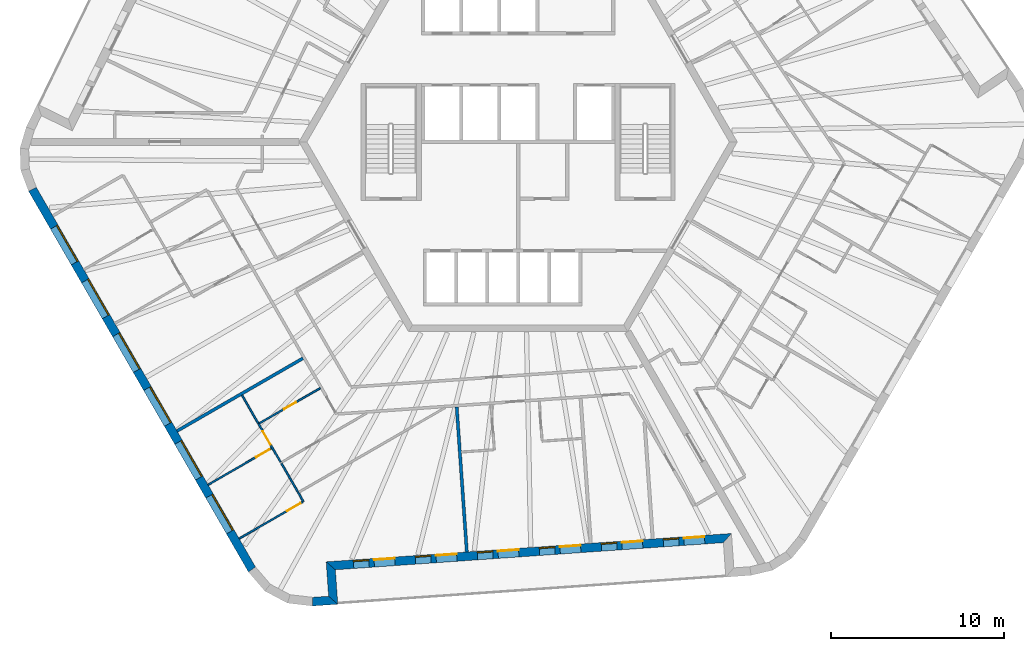
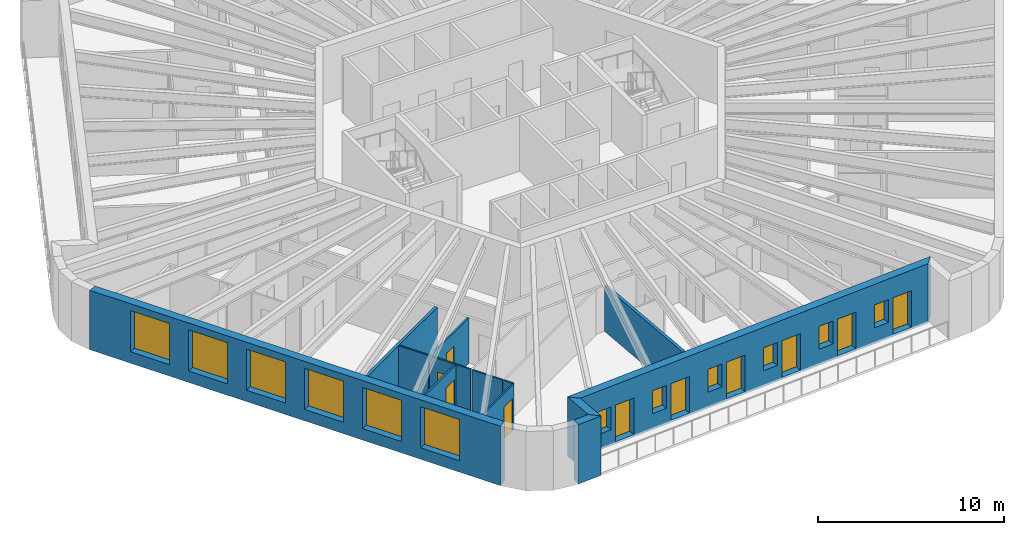
# One storey, part 3 of 12: 13 walls, 12 windows, 10 doors, 22 openings.
"""IFC4 building model written with IfcOpenShell, lengths in metres."""

import ifcopenshell
import ifcopenshell.guid

model = None  # the IFC model being written
_history = None  # IfcOwnerHistory: only IFC2X3 demands one
_inside = {}  # id of a spatial element -> (the spatial element, [elements in it])
_under = {}  # id of a project, library or spatial element -> (it, [spatial elements below it])
_declared = {}  # id of a project -> (the project, [libraries it declares])
_typed = {}  # id of a type object -> (the type object, [elements of that type])
_made_of = {}  # id of a material, layer set ... -> (it, [elements and type objects made of it])


def new_model(schema):
    """Start an empty IFC model of exactly this schema.

    Asked for "IFC4X3", IfcOpenShell would pick the latest addendum, in which some entities
    have other attributes; the version numbers below select the first issue.
    IFC2X3 requires an IfcOwnerHistory on every rooted entity: one is made here for all.
    """
    global model, _history
    if schema == "IFC4X3":
        model = ifcopenshell.file(schema_version=(4, 3, 0, 0))
    else:
        model = ifcopenshell.file(schema=schema)
    _inside.clear()
    _under.clear()
    _declared.clear()
    _typed.clear()
    _made_of.clear()
    _history = None
    if model.schema == "IFC2X3":
        org = make("IfcOrganization", Name="unknown")
        user = make(
            "IfcPersonAndOrganization",
            ThePerson=make("IfcPerson", FamilyName="unknown"),
            TheOrganization=org,
        )
        app = make(
            "IfcApplication",
            ApplicationDeveloper=org,
            Version="unknown",
            ApplicationFullName="unknown",
            ApplicationIdentifier="unknown",
        )
        _history = make(
            "IfcOwnerHistory",
            OwningUser=user,
            OwningApplication=app,
            ChangeAction="ADDED",
            CreationDate=0,
        )
    return model


def make(cls, **values):
    """One entity of the class cls with the attributes given. An attribute that is None is left unset."""
    return model.create_entity(
        cls, **{name: value for name, value in values.items() if value is not None}
    )


def rooted(cls, **values):
    """An entity with a GlobalId (a new one), such as an element, a storey or a relation."""
    return make(cls, GlobalId=ifcopenshell.guid.new(), OwnerHistory=_history, **values)


def si_unit(unit_type, name, prefix=None):
    """IfcSIUnit, for example si_unit("LENGTHUNIT", "METRE", prefix="MILLI")."""
    return make("IfcSIUnit", UnitType=unit_type, Prefix=prefix, Name=name)


def assignment(units):
    """IfcUnitAssignment: the units of a project."""
    return None if units is None else make("IfcUnitAssignment", Units=units)


def point(xyz):
    """IfcCartesianPoint."""
    return None if xyz is None else make("IfcCartesianPoint", Coordinates=xyz)


def direction(xyz):
    """IfcDirection."""
    return None if xyz is None else make("IfcDirection", DirectionRatios=xyz)


def frame(location, z_axis=None, x_axis=None):
    """IfcAxis2Placement3D, a coordinate frame: its origin and axes. An axis left out is left unset."""
    return make(
        "IfcAxis2Placement3D",
        Location=point(location),
        Axis=direction(z_axis),
        RefDirection=direction(x_axis),
    )


def frame_2d(location, x_axis=None):
    """IfcAxis2Placement2D, a coordinate frame in the plane: its origin and x axis."""
    return make(
        "IfcAxis2Placement2D", Location=point(location), RefDirection=direction(x_axis)
    )


def origin():
    """The frame at (0, 0, 0) with its axes left unset."""
    return frame((0.0, 0.0, 0.0))


def place(relative_to, where):
    """IfcLocalPlacement: puts the frame where relative to a parent placement (None: the world)."""
    return make(
        "IfcLocalPlacement", PlacementRelTo=relative_to, RelativePlacement=where
    )


def context(
    kind, dimensions, precision=None, world=None, true_north=None, identifier=None
):
    """IfcGeometricRepresentationContext, for example the 3D "Model" context."""
    return make(
        "IfcGeometricRepresentationContext",
        ContextIdentifier=identifier,
        ContextType=kind,
        CoordinateSpaceDimension=dimensions,
        Precision=precision,
        WorldCoordinateSystem=world,
        TrueNorth=true_north,
    )


def subcontext(parent, identifier, kind, view, scale=None):
    """IfcGeometricRepresentationSubContext, for example "Body" below "Model"."""
    return make(
        "IfcGeometricRepresentationSubContext",
        ContextIdentifier=identifier,
        ContextType=kind,
        ParentContext=parent,
        TargetScale=scale,
        TargetView=view,
    )


def project(units=None, contexts=None):
    """IfcProject with its units and contexts."""
    return rooted(
        "IfcProject",
        Name="project",
        RepresentationContexts=contexts,
        UnitsInContext=assignment(units),
    )


def spatial(cls, under=None, at=None, **own):
    """A site, building, storey or space (cls), placed at a placement, below another one or the project."""
    s = rooted(cls, ObjectPlacement=at, **own)
    if under is not None:
        _under.setdefault(under.id(), (under, []))[1].append(s)
    return s


def polyline(points):
    """IfcPolyline through the points."""
    return make("IfcPolyline", Points=[point(p) for p in points])


def profile(cls, at=None, kind="AREA", **sizes):
    """A parametric profile (cls). Its sizes go by their IFC names, for example OverallWidth=200.0."""
    return make(cls, ProfileType=kind, Position=at, **sizes)


def rectangle(**sizes):
    """IfcRectangleProfileDef."""
    return profile("IfcRectangleProfileDef", **sizes)


def outline(outer, holes=None, kind="AREA"):
    """IfcArbitraryClosedProfileDef: a profile drawn as a closed curve; with holes, ...WithVoids."""
    if holes is None:
        return make("IfcArbitraryClosedProfileDef", ProfileType=kind, OuterCurve=outer)
    return make(
        "IfcArbitraryProfileDefWithVoids",
        ProfileType=kind,
        OuterCurve=outer,
        InnerCurves=holes,
    )


def extrude(swept, where, along, depth):
    """IfcExtrudedAreaSolid: the profile swept, set in the frame where, extruded along a direction by depth."""
    return make(
        "IfcExtrudedAreaSolid",
        SweptArea=swept,
        Position=where,
        ExtrudedDirection=direction(along),
        Depth=depth,
    )


def shape(context_of_items, identifier, shape_type, items):
    """IfcShapeRepresentation: the items that make up one representation, for example the "Body"."""
    return make(
        "IfcShapeRepresentation",
        ContextOfItems=context_of_items,
        RepresentationIdentifier=identifier,
        RepresentationType=shape_type,
        Items=items,
    )


def material(Name=None, Category=None):
    """IfcMaterial."""
    return make("IfcMaterial", Name=Name, Category=Category)


def layer(
    of_material, thickness, ventilated=None, Name=None, Category=None, Priority=None
):
    """IfcMaterialLayer: one layer of a wall or slab, of a material (None: an air gap)."""
    return make(
        "IfcMaterialLayer",
        Material=of_material,
        LayerThickness=thickness,
        IsVentilated=ventilated,
        Name=Name,
        Category=Category,
        Priority=Priority,
    )


def layer_set(layers, Name=None):
    """IfcMaterialLayerSet."""
    return make("IfcMaterialLayerSet", MaterialLayers=layers, LayerSetName=Name)


def made_of(thing, what):
    """Note that an element or type object is made of a material, layer set ...; save() writes the relation."""
    if what is not None:
        _made_of.setdefault(what.id(), (what, []))[1].append(thing)
    return thing


def type_object(cls, material=None, **own):
    """A type object (cls), such as IfcWallType, which elements share."""
    return made_of(rooted(cls, **own), material)


def element(
    cls,
    number,
    at=None,
    inside=None,
    cuts=None,
    type_object=None,
    material=None,
    context=None,
    identifier="Body",
    shape_type=None,
    held_by="IfcProductDefinitionShape",
    body=None,
    shapes=None,
    **own,
):
    """One element of the class cls, such as IfcWall. Its Tag is "e" and its number.

    at: its placement. inside: the storey or other place that contains it. cuts: it is an
    opening in that element (IfcRelVoidsElement). A single representation is given by context,
    identifier, shape_type and body (its items); several are given by shapes. held_by: the class
    of the entity that holds the representations. save() writes the other relations.
    """
    e = rooted(cls, Tag="e%d" % number, ObjectPlacement=at, **own)
    if body is not None:
        shapes = [shape(context, identifier, shape_type, body)]
    if shapes is not None:
        e.Representation = make(held_by, Representations=shapes)
    if inside is not None:
        _inside.setdefault(inside.id(), (inside, []))[1].append(e)
    if cuts is not None:
        rooted(
            "IfcRelVoidsElement", RelatingBuildingElement=cuts, RelatedOpeningElement=e
        )
    if type_object is not None:
        _typed.setdefault(type_object.id(), (type_object, []))[1].append(e)
    return made_of(e, material)


def fill(opening, filler):
    """IfcRelFillsElement: the door or window that sits in an opening."""
    return rooted(
        "IfcRelFillsElement",
        RelatingOpeningElement=opening,
        RelatedBuildingElement=filler,
    )


def aggregate(whole, parts):
    """IfcRelAggregates: a whole, such as a stair, and the parts it consists of."""
    return rooted("IfcRelAggregates", RelatingObject=whole, RelatedObjects=parts)


def save(model, path):
    """Write the relations noted so far, then the file.

    IfcRelAggregates (storeys below a building ...), IfcRelContainedInSpatialStructure (elements
    in a storey), IfcRelDefinesByType, IfcRelAssociatesMaterial and IfcRelDeclares: one each for
    every whole, place, type object, material and project.
    """
    for whole, parts in _under.values():
        aggregate(whole, parts)
    for where, things in _inside.values():
        rooted(
            "IfcRelContainedInSpatialStructure",
            RelatedElements=things,
            RelatingStructure=where,
        )
    for kind, things in _typed.values():
        rooted("IfcRelDefinesByType", RelatedObjects=things, RelatingType=kind)
    for what, things in _made_of.values():
        rooted("IfcRelAssociatesMaterial", RelatedObjects=things, RelatingMaterial=what)
    for by, libraries in _declared.values():
        rooted("IfcRelDeclares", RelatingContext=by, RelatedDefinitions=libraries)
    model.write(path)


model = new_model("IFC4")

# Units and contexts
model_context = context("Model", 3, precision=1e-05, world=origin(), true_north=direction((0.0, 1.0)))
body_context = subcontext(model_context, "Body", "Model", "MODEL_VIEW")
ifc_project = project(units=[si_unit("LENGTHUNIT", "METRE"), si_unit("AREAUNIT", "SQUARE_METRE"), si_unit("VOLUMEUNIT", "CUBIC_METRE"), si_unit("PLANEANGLEUNIT", "RADIAN"), si_unit("MASSUNIT", "GRAM", prefix="KILO")], contexts=[model_context])

# Site, building, storey
site_placement = place(None, origin())
site = spatial("IfcSite", under=ifc_project, at=site_placement, CompositionType="ELEMENT")
building_placement = place(site_placement, origin())
building = spatial("IfcBuilding", under=site, at=building_placement, Name="Tarnside Tower", CompositionType="ELEMENT")
storey_placement = place(building_placement, frame((0.0, 0.0, 275.699951171875)))
storey = spatial("IfcBuildingStorey", under=building, at=storey_placement, Name="L66", CompositionType="ELEMENT", Elevation=275.699951171875)

# Wall, opening, door
ifc_material_1 = material(Name="Gypsum board partition on steel studs", Category="steel")
ifc_layer_1 = layer(ifc_material_1, 0.10009765625)
ifc_layer_set_1 = layer_set([ifc_layer_1], Name="Bathroom wall 100")
wall_type_1 = type_object("IfcWallType", Name="Bathroom wall 100", PredefinedType="PARTITIONING", material=ifc_layer_set_1)
wall_1_placement = place(storey_placement, frame((-11.47509765625, -14.274658203125, 0.0), z_axis=(0.0, 0.0, 1.0), x_axis=(-0.866019999656, -0.500009360108, 0.0)))
wall_1 = element("IfcWall", 1, at=wall_1_placement, inside=storey, type_object=wall_type_1, Name="Bathroom wall 21130", PredefinedType="PARTITIONING", context=body_context, shape_type="SweptSolid", body=[
    extrude(rectangle(XDim=4.125, YDim=0.10009765625, at=frame_2d((2.0625, 0.0))), origin(), (0.0, 0.0, 1.0), 2.98779296875),
])
opening_1_placement = place(wall_1_placement, frame((1.625, 0.0, 0.0)))
opening_1 = element("IfcOpeningElement", 2, at=opening_1_placement, cuts=wall_1, Name="Opening D-B1", PredefinedType="OPENING", context=body_context, shape_type="SweptSolid", body=[
    extrude(rectangle(XDim=0.800048828125, YDim=2.10009765625, at=frame_2d((0.39990234375, 1.050048828125))), frame((0.0, 0.06005859375, 0.0), z_axis=(0.0, -1.0, 0.0), x_axis=(1.0, 0.0, 0.0)), (0.0, 0.0, 1.0), 0.1201171875),
])
ifc_material_2 = material(Name="Timber door leaf", Category="wood")
door_type_1 = type_object("IfcDoorType", Name="Bathroom door 800", OperationType="NOTDEFINED", PredefinedType="DOOR", material=ifc_material_2)
door_1_placement = place(opening_1_placement, origin())
door_1 = element("IfcDoor", 3, at=door_1_placement, inside=storey, type_object=door_type_1, Name="Bathroom door 21034", OperationType="SINGLE_SWING_RIGHT", OverallHeight=2.10009765625, OverallWidth=0.800048828125, PredefinedType="DOOR", context=body_context, shape_type="SweptSolid", body=[
    extrude(rectangle(XDim=0.800048828125, YDim=2.10009765625, at=frame_2d((0.39990234375, 1.050048828125))), frame((0.0, 0.02490234375, 0.0), z_axis=(0.0, -1.0, 0.0), x_axis=(1.0, 0.0, 0.0)), (0.0, 0.0, 1.0), 0.050048828125),
])
fill(opening_1, door_1)

# Walls
wall_2_placement = place(storey_placement, frame((-16.00244140625, -14.68310546875, 0.0), z_axis=(0.0, 0.0, 1.0), x_axis=(0.500059143742, -0.865991254436, 0.0)))
element("IfcWall", 4, at=wall_2_placement, inside=storey, type_object=wall_type_1, Name="Bathroom wall 21134", PredefinedType="PARTITIONING", context=body_context, shape_type="SweptSolid", body=[
    extrude(rectangle(XDim=1.862060546875, YDim=0.10009765625, at=frame_2d((0.93115234375, 0.0))), origin(), (0.0, 0.0, 1.0), 2.98779296875),
])
wall_3_placement = place(storey_placement, frame((-12.7724609375, -20.277587890625, 0.0), z_axis=(0.0, 0.0, 1.0), x_axis=(-0.499967155389, 0.866044365799, 0.0)))
element("IfcWall", 5, at=wall_3_placement, inside=storey, type_object=wall_type_1, Name="Bathroom wall 21136", PredefinedType="PARTITIONING", context=body_context, shape_type="SweptSolid", body=[
    extrude(rectangle(XDim=1.900146484375, YDim=0.10009765625, at=frame_2d((0.9501953125, 0.0))), origin(), (0.0, 0.0, 1.0), 2.98779296875),
])
ifc_layer_2 = layer(ifc_material_1, 0.179931640625)
ifc_layer_set_2 = layer_set([ifc_layer_2], Name="Demising wall 180 EI 60")
wall_type_2 = type_object("IfcWallType", Name="Demising wall 180 EI 60", PredefinedType="PARTITIONING", material=ifc_layer_set_2)
wall_4_placement = place(storey_placement, frame((-19.771240234375, -16.755126953125, 0.0), z_axis=(0.0, 0.0, 1.0), x_axis=(0.866026819143, 0.499997548519, 0.0)))
element("IfcWall", 6, at=wall_4_placement, inside=storey, type_object=wall_type_2, Name="Demising wall 21118", PredefinedType="PARTITIONING", context=body_context, shape_type="SweptSolid", body=[
    extrude(rectangle(XDim=8.4248046875, YDim=0.179931640625, at=frame_2d((4.21240234375, 0.0))), origin(), (0.0, 0.0, 1.0), 2.98779296875),
])
wall_5_placement = place(storey_placement, frame((-2.97412109375, -23.765380859375, 0.0), z_axis=(0.0, 0.0, 1.0), x_axis=(-0.069749826803, 0.997564515037, 0.0)))
element("IfcWall", 7, at=wall_5_placement, inside=storey, type_object=wall_type_2, Name="Demising wall 21128", PredefinedType="PARTITIONING", context=body_context, shape_type="SweptSolid", body=[
    extrude(rectangle(XDim=8.425048828125, YDim=0.179931640625, at=frame_2d((4.21240234375, 0.0))), origin(), (0.0, 0.0, 1.0), 2.98779296875),
])
ifc_material_3 = material(Name="Dark zinc cladding")
ifc_layer_3 = layer(ifc_material_3, 0.10205078125)
ifc_material_4 = material(Name="Concrete C60/75 precast", Category="concrete")
ifc_layer_4 = layer(ifc_material_4, 0.298095703125)
ifc_material_5 = material(Name="Mineral wool insulation")
ifc_layer_5 = layer(ifc_material_5, 0.10009765625)
ifc_layer_set_3 = layer_set([ifc_layer_3, ifc_layer_4, ifc_layer_5], Name="Loggia wall 500 zinc faced")
wall_type_3 = type_object("IfcWallType", Name="Loggia wall 500 zinc faced", PredefinedType="SOLIDWALL", material=ifc_layer_set_3)
wall_6_placement = place(storey_placement, frame((-11.91748046875, -26.646240234375, -0.14990234375), z_axis=(0.0, 0.0, 1.0), x_axis=(0.997562933087, 0.069772448216, 0.0)))
element("IfcWall", 8, at=wall_6_placement, inside=storey, type_object=wall_type_3, Name="Tube wall L66 F4 stub 16", PredefinedType="SOLIDWALL", context=body_context, shape_type="SweptSolid", body=[
    extrude(outline(polyline([(-0.0234375, -0.25), (1.4501953125, -0.25), (0.9501953125, 0.25), (0.0234375, 0.25), (-0.0234375, -0.25)])), origin(), (0.0, 0.0, 1.0), 3.89990234375),
])
wall_7_placement = place(storey_placement, frame((-10.72021484375, -26.5625, -0.14990234375), z_axis=(0.0, 0.0, 1.0), x_axis=(-0.069824268692, 0.99755930726, 0.0)))
element("IfcWall", 9, at=wall_7_placement, inside=storey, type_object=wall_type_3, Name="Tube wall L66 F4 return 17", PredefinedType="SOLIDWALL", context=body_context, shape_type="SweptSolid", body=[
    extrude(outline(polyline([(-0.25, -0.25), (1.75, -0.25), (2.25, 0.25), (0.25, 0.25), (-0.25, -0.25)])), origin(), (0.0, 0.0, 1.0), 3.89990234375),
])

# Wall, openings, doors, windows
wall_8_placement = place(storey_placement, frame((-10.85986328125, -24.5673828125, -0.14990234375), z_axis=(0.0, 0.0, 1.0), x_axis=(0.997564329317, 0.06975248292, 0.0)))
wall_8 = element("IfcWall", 10, at=wall_8_placement, inside=storey, type_object=wall_type_3, Name="Tube wall L66 F4 back 18", PredefinedType="SOLIDWALL", context=body_context, shape_type="SweptSolid", body=[
    extrude(outline(polyline([(0.25, -0.25), (22.794677734375, -0.25), (23.294677734375, 0.25), (-0.25, 0.25), (0.25, -0.25)])), origin(), (0.0, 0.0, 1.0), 3.89990234375),
])
opening_2_placement = place(wall_8_placement, frame((1.322509765625, 0.0, 1.050048828125)))
opening_2 = element("IfcOpeningElement", 11, at=opening_2_placement, cuts=wall_8, Name="Opening WL500", PredefinedType="OPENING", context=body_context, shape_type="SweptSolid", body=[
    extrude(rectangle(XDim=0.89990234375, YDim=1.5, at=frame_2d((0.449951171875, 0.75))), frame((0.0, 0.260009765625, 0.0), z_axis=(0.0, -1.0, 0.0), x_axis=(1.0, 0.0, 0.0)), (0.0, 0.0, 1.0), 0.52001953125),
])
opening_3_placement = place(wall_8_placement, frame((2.5224609375, 0.0, 0.14990234375)))
opening_3 = element("IfcOpeningElement", 12, at=opening_3_placement, cuts=wall_8, Name="Opening DB500", PredefinedType="OPENING", context=body_context, shape_type="SweptSolid", body=[
    extrude(rectangle(XDim=1.199951171875, YDim=2.39990234375, at=frame_2d((0.60009765625, 1.199951171875))), frame((0.0, 0.260009765625, 0.0), z_axis=(0.0, -1.0, 0.0), x_axis=(1.0, 0.0, 0.0)), (0.0, 0.0, 1.0), 0.52001953125),
])
opening_4_placement = place(wall_8_placement, frame((4.92236328125, 0.0, 1.050048828125)))
opening_4 = element("IfcOpeningElement", 13, at=opening_4_placement, cuts=wall_8, Name="Opening WL500", PredefinedType="OPENING", context=body_context, shape_type="SweptSolid", body=[
    extrude(rectangle(XDim=0.89990234375, YDim=1.5, at=frame_2d((0.449951171875, 0.75))), frame((0.0, 0.260009765625, 0.0), z_axis=(0.0, -1.0, 0.0), x_axis=(1.0, 0.0, 0.0)), (0.0, 0.0, 1.0), 0.52001953125),
])
opening_5_placement = place(wall_8_placement, frame((6.122314453125, 0.0, 0.14990234375)))
opening_5 = element("IfcOpeningElement", 14, at=opening_5_placement, cuts=wall_8, Name="Opening DB500", PredefinedType="OPENING", context=body_context, shape_type="SweptSolid", body=[
    extrude(rectangle(XDim=1.199951171875, YDim=2.39990234375, at=frame_2d((0.60009765625, 1.199951171875))), frame((0.0, 0.260009765625, 0.0), z_axis=(0.0, -1.0, 0.0), x_axis=(1.0, 0.0, 0.0)), (0.0, 0.0, 1.0), 0.52001953125),
])
opening_6_placement = place(wall_8_placement, frame((8.5224609375, 0.0, 1.050048828125)))
opening_6 = element("IfcOpeningElement", 15, at=opening_6_placement, cuts=wall_8, Name="Opening WL500", PredefinedType="OPENING", context=body_context, shape_type="SweptSolid", body=[
    extrude(rectangle(XDim=0.89990234375, YDim=1.5, at=frame_2d((0.449951171875, 0.75))), frame((0.0, 0.260009765625, 0.0), z_axis=(0.0, -1.0, 0.0), x_axis=(1.0, 0.0, 0.0)), (0.0, 0.0, 1.0), 0.52001953125),
])
opening_7_placement = place(wall_8_placement, frame((9.722412109375, 0.0, 0.14990234375)))
opening_7 = element("IfcOpeningElement", 16, at=opening_7_placement, cuts=wall_8, Name="Opening DB500", PredefinedType="OPENING", context=body_context, shape_type="SweptSolid", body=[
    extrude(rectangle(XDim=1.199951171875, YDim=2.39990234375, at=frame_2d((0.60009765625, 1.199951171875))), frame((0.0, 0.260009765625, 0.0), z_axis=(0.0, -1.0, 0.0), x_axis=(1.0, 0.0, 0.0)), (0.0, 0.0, 1.0), 0.52001953125),
])
opening_8_placement = place(wall_8_placement, frame((12.122314453125, 0.0, 1.050048828125)))
opening_8 = element("IfcOpeningElement", 17, at=opening_8_placement, cuts=wall_8, Name="Opening WL500", PredefinedType="OPENING", context=body_context, shape_type="SweptSolid", body=[
    extrude(rectangle(XDim=0.89990234375, YDim=1.5, at=frame_2d((0.449951171875, 0.75))), frame((0.0, 0.260009765625, 0.0), z_axis=(0.0, -1.0, 0.0), x_axis=(1.0, 0.0, 0.0)), (0.0, 0.0, 1.0), 0.52001953125),
])
opening_9_placement = place(wall_8_placement, frame((13.322509765625, 0.0, 0.14990234375)))
opening_9 = element("IfcOpeningElement", 18, at=opening_9_placement, cuts=wall_8, Name="Opening DB500", PredefinedType="OPENING", context=body_context, shape_type="SweptSolid", body=[
    extrude(rectangle(XDim=1.199951171875, YDim=2.39990234375, at=frame_2d((0.60009765625, 1.199951171875))), frame((0.0, 0.260009765625, 0.0), z_axis=(0.0, -1.0, 0.0), x_axis=(1.0, 0.0, 0.0)), (0.0, 0.0, 1.0), 0.52001953125),
])
opening_10_placement = place(wall_8_placement, frame((15.722412109375, 0.0, 1.050048828125)))
opening_10 = element("IfcOpeningElement", 19, at=opening_10_placement, cuts=wall_8, Name="Opening WL500", PredefinedType="OPENING", context=body_context, shape_type="SweptSolid", body=[
    extrude(rectangle(XDim=0.89990234375, YDim=1.5, at=frame_2d((0.449951171875, 0.75))), frame((0.0, 0.260009765625, 0.0), z_axis=(0.0, -1.0, 0.0), x_axis=(1.0, 0.0, 0.0)), (0.0, 0.0, 1.0), 0.52001953125),
])
opening_11_placement = place(wall_8_placement, frame((16.92236328125, 0.0, 0.14990234375)))
opening_11 = element("IfcOpeningElement", 20, at=opening_11_placement, cuts=wall_8, Name="Opening DB500", PredefinedType="OPENING", context=body_context, shape_type="SweptSolid", body=[
    extrude(rectangle(XDim=1.199951171875, YDim=2.39990234375, at=frame_2d((0.60009765625, 1.199951171875))), frame((0.0, 0.260009765625, 0.0), z_axis=(0.0, -1.0, 0.0), x_axis=(1.0, 0.0, 0.0)), (0.0, 0.0, 1.0), 0.52001953125),
])
opening_12_placement = place(wall_8_placement, frame((19.322509765625, 0.0, 1.050048828125)))
opening_12 = element("IfcOpeningElement", 21, at=opening_12_placement, cuts=wall_8, Name="Opening WL500", PredefinedType="OPENING", context=body_context, shape_type="SweptSolid", body=[
    extrude(rectangle(XDim=0.89990234375, YDim=1.5, at=frame_2d((0.449951171875, 0.75))), frame((0.0, 0.260009765625, 0.0), z_axis=(0.0, -1.0, 0.0), x_axis=(1.0, 0.0, 0.0)), (0.0, 0.0, 1.0), 0.52001953125),
])
opening_13_placement = place(wall_8_placement, frame((20.5224609375, 0.0, 0.14990234375)))
opening_13 = element("IfcOpeningElement", 22, at=opening_13_placement, cuts=wall_8, Name="Opening DB500", PredefinedType="OPENING", context=body_context, shape_type="SweptSolid", body=[
    extrude(rectangle(XDim=1.199951171875, YDim=2.39990234375, at=frame_2d((0.60009765625, 1.199951171875))), frame((0.0, 0.260009765625, 0.0), z_axis=(0.0, -1.0, 0.0), x_axis=(1.0, 0.0, 0.0)), (0.0, 0.0, 1.0), 0.52001953125),
])
ifc_material_6 = material(Name="Aluminium-framed double glazing", Category="aluminium")
door_type_2 = type_object("IfcDoorType", Name="Balcony sliding door 1200 x 2400 in 500 wall", OperationType="SLIDING_TO_LEFT", PredefinedType="DOOR", material=ifc_material_6)
door_2_placement = place(opening_3_placement, frame((0.0, 0.1748046875, 0.0)))
door_2 = element("IfcDoor", 23, at=door_2_placement, inside=storey, type_object=door_type_2, Name="E.BD.L66.F4.00", OperationType="SLIDING_TO_LEFT", OverallHeight=2.39990234375, OverallWidth=1.199951171875, PredefinedType="DOOR", context=body_context, shape_type="SweptSolid", body=[
    extrude(rectangle(XDim=1.199951171875, YDim=2.39990234375, at=frame_2d((0.60009765625, 1.199951171875))), frame((0.0, 0.02490234375, 0.0), z_axis=(0.0, -1.0, 0.0), x_axis=(1.0, 0.0, 0.0)), (0.0, 0.0, 1.0), 0.050048828125),
])
fill(opening_3, door_2)
door_3_placement = place(opening_5_placement, frame((0.0, 0.1748046875, 0.0)))
door_3 = element("IfcDoor", 24, at=door_3_placement, inside=storey, type_object=door_type_2, Name="E.BD.L66.F4.01", OperationType="SLIDING_TO_LEFT", OverallHeight=2.39990234375, OverallWidth=1.199951171875, PredefinedType="DOOR", context=body_context, shape_type="SweptSolid", body=[
    extrude(rectangle(XDim=1.199951171875, YDim=2.39990234375, at=frame_2d((0.60009765625, 1.199951171875))), frame((0.0, 0.02490234375, 0.0), z_axis=(0.0, -1.0, 0.0), x_axis=(1.0, 0.0, 0.0)), (0.0, 0.0, 1.0), 0.050048828125),
])
fill(opening_5, door_3)
door_4_placement = place(opening_7_placement, frame((0.0, 0.1748046875, 0.0)))
door_4 = element("IfcDoor", 25, at=door_4_placement, inside=storey, type_object=door_type_2, Name="E.BD.L66.F4.02", OperationType="SLIDING_TO_LEFT", OverallHeight=2.39990234375, OverallWidth=1.199951171875, PredefinedType="DOOR", context=body_context, shape_type="SweptSolid", body=[
    extrude(rectangle(XDim=1.199951171875, YDim=2.39990234375, at=frame_2d((0.60009765625, 1.199951171875))), frame((0.0, 0.02490234375, 0.0), z_axis=(0.0, -1.0, 0.0), x_axis=(1.0, 0.0, 0.0)), (0.0, 0.0, 1.0), 0.050048828125),
])
fill(opening_7, door_4)
door_5_placement = place(opening_9_placement, frame((0.0, 0.1748046875, 0.0)))
door_5 = element("IfcDoor", 26, at=door_5_placement, inside=storey, type_object=door_type_2, Name="E.BD.L66.F4.03", OperationType="SLIDING_TO_LEFT", OverallHeight=2.39990234375, OverallWidth=1.199951171875, PredefinedType="DOOR", context=body_context, shape_type="SweptSolid", body=[
    extrude(rectangle(XDim=1.199951171875, YDim=2.39990234375, at=frame_2d((0.60009765625, 1.199951171875))), frame((0.0, 0.02490234375, 0.0), z_axis=(0.0, -1.0, 0.0), x_axis=(1.0, 0.0, 0.0)), (0.0, 0.0, 1.0), 0.050048828125),
])
fill(opening_9, door_5)
door_6_placement = place(opening_11_placement, frame((0.0, 0.1748046875, 0.0)))
door_6 = element("IfcDoor", 27, at=door_6_placement, inside=storey, type_object=door_type_2, Name="E.BD.L66.F4.04", OperationType="SLIDING_TO_LEFT", OverallHeight=2.39990234375, OverallWidth=1.199951171875, PredefinedType="DOOR", context=body_context, shape_type="SweptSolid", body=[
    extrude(rectangle(XDim=1.199951171875, YDim=2.39990234375, at=frame_2d((0.60009765625, 1.199951171875))), frame((0.0, 0.02490234375, 0.0), z_axis=(0.0, -1.0, 0.0), x_axis=(1.0, 0.0, 0.0)), (0.0, 0.0, 1.0), 0.050048828125),
])
fill(opening_11, door_6)
door_7_placement = place(opening_13_placement, frame((0.0, 0.1748046875, 0.0)))
door_7 = element("IfcDoor", 28, at=door_7_placement, inside=storey, type_object=door_type_2, Name="E.BD.L66.F4.05", OperationType="SLIDING_TO_LEFT", OverallHeight=2.39990234375, OverallWidth=1.199951171875, PredefinedType="DOOR", context=body_context, shape_type="SweptSolid", body=[
    extrude(rectangle(XDim=1.199951171875, YDim=2.39990234375, at=frame_2d((0.60009765625, 1.199951171875))), frame((0.0, 0.02490234375, 0.0), z_axis=(0.0, -1.0, 0.0), x_axis=(1.0, 0.0, 0.0)), (0.0, 0.0, 1.0), 0.050048828125),
])
fill(opening_13, door_7)
window_type_1 = type_object("IfcWindowType", Name="Loggia window 900 x 1500 in 500 wall", PartitioningType="SINGLE_PANEL", PredefinedType="WINDOW", material=ifc_material_6)
window_1_placement = place(opening_2_placement, frame((0.0, 0.179931640625, 0.0)))
window_1 = element("IfcWindow", 29, at=window_1_placement, inside=storey, type_object=window_type_1, Name="E.LW.L66.F4.00", OverallHeight=1.5, OverallWidth=0.89990234375, PartitioningType="SINGLE_PANEL", PredefinedType="WINDOW", context=body_context, shape_type="SweptSolid", body=[
    extrude(rectangle(XDim=0.89990234375, YDim=1.5, at=frame_2d((0.449951171875, 0.75))), frame((0.0, 0.030029296875, 0.0), z_axis=(0.0, -1.0, 0.0), x_axis=(1.0, 0.0, 0.0)), (0.0, 0.0, 1.0), 0.06005859375),
])
fill(opening_2, window_1)
window_2_placement = place(opening_4_placement, frame((0.0, 0.179931640625, 0.0)))
window_2 = element("IfcWindow", 30, at=window_2_placement, inside=storey, type_object=window_type_1, Name="E.LW.L66.F4.01", OverallHeight=1.5, OverallWidth=0.89990234375, PartitioningType="SINGLE_PANEL", PredefinedType="WINDOW", context=body_context, shape_type="SweptSolid", body=[
    extrude(rectangle(XDim=0.89990234375, YDim=1.5, at=frame_2d((0.449951171875, 0.75))), frame((0.0, 0.030029296875, 0.0), z_axis=(0.0, -1.0, 0.0), x_axis=(1.0, 0.0, 0.0)), (0.0, 0.0, 1.0), 0.06005859375),
])
fill(opening_4, window_2)
window_3_placement = place(opening_6_placement, frame((0.0, 0.179931640625, 0.0)))
window_3 = element("IfcWindow", 31, at=window_3_placement, inside=storey, type_object=window_type_1, Name="E.LW.L66.F4.02", OverallHeight=1.5, OverallWidth=0.89990234375, PartitioningType="SINGLE_PANEL", PredefinedType="WINDOW", context=body_context, shape_type="SweptSolid", body=[
    extrude(rectangle(XDim=0.89990234375, YDim=1.5, at=frame_2d((0.449951171875, 0.75))), frame((0.0, 0.030029296875, 0.0), z_axis=(0.0, -1.0, 0.0), x_axis=(1.0, 0.0, 0.0)), (0.0, 0.0, 1.0), 0.06005859375),
])
fill(opening_6, window_3)
window_4_placement = place(opening_8_placement, frame((0.0, 0.179931640625, 0.0)))
window_4 = element("IfcWindow", 32, at=window_4_placement, inside=storey, type_object=window_type_1, Name="E.LW.L66.F4.03", OverallHeight=1.5, OverallWidth=0.89990234375, PartitioningType="SINGLE_PANEL", PredefinedType="WINDOW", context=body_context, shape_type="SweptSolid", body=[
    extrude(rectangle(XDim=0.89990234375, YDim=1.5, at=frame_2d((0.449951171875, 0.75))), frame((0.0, 0.030029296875, 0.0), z_axis=(0.0, -1.0, 0.0), x_axis=(1.0, 0.0, 0.0)), (0.0, 0.0, 1.0), 0.06005859375),
])
fill(opening_8, window_4)
window_5_placement = place(opening_10_placement, frame((0.0, 0.179931640625, 0.0)))
window_5 = element("IfcWindow", 33, at=window_5_placement, inside=storey, type_object=window_type_1, Name="E.LW.L66.F4.04", OverallHeight=1.5, OverallWidth=0.89990234375, PartitioningType="SINGLE_PANEL", PredefinedType="WINDOW", context=body_context, shape_type="SweptSolid", body=[
    extrude(rectangle(XDim=0.89990234375, YDim=1.5, at=frame_2d((0.449951171875, 0.75))), frame((0.0, 0.030029296875, 0.0), z_axis=(0.0, -1.0, 0.0), x_axis=(1.0, 0.0, 0.0)), (0.0, 0.0, 1.0), 0.06005859375),
])
fill(opening_10, window_5)
window_6_placement = place(opening_12_placement, frame((0.0, 0.179931640625, 0.0)))
window_6 = element("IfcWindow", 34, at=window_6_placement, inside=storey, type_object=window_type_1, Name="E.LW.L66.F4.05", OverallHeight=1.5, OverallWidth=0.89990234375, PartitioningType="SINGLE_PANEL", PredefinedType="WINDOW", context=body_context, shape_type="SweptSolid", body=[
    extrude(rectangle(XDim=0.89990234375, YDim=1.5, at=frame_2d((0.449951171875, 0.75))), frame((0.0, 0.030029296875, 0.0), z_axis=(0.0, -1.0, 0.0), x_axis=(1.0, 0.0, 0.0)), (0.0, 0.0, 1.0), 0.06005859375),
])
fill(opening_12, window_6)

# Wall
ifc_layer_6 = layer(ifc_material_1, 0.10009765625)
ifc_layer_set_4 = layer_set([ifc_layer_6], Name="Partition 100")
wall_type_4 = type_object("IfcWallType", Name="Partition 100", PredefinedType="PARTITIONING", material=ifc_layer_set_4)
wall_9_placement = place(storey_placement, frame((-12.748291015625, -20.3193359375, 0.0), z_axis=(0.0, 0.0, 1.0), x_axis=(0.500108649621, -0.865962665808, 0.0)))
element("IfcWall", 35, at=wall_9_placement, inside=storey, type_object=wall_type_4, Name="Partition wall 21125", PredefinedType="PARTITIONING", context=body_context, shape_type="SweptSolid", body=[
    extrude(rectangle(XDim=0.601806640625, YDim=0.10009765625, at=frame_2d((0.30078125, 0.0))), origin(), (0.0, 0.0, 1.0), 2.98779296875),
])

# Wall, opening, door
wall_10_placement = place(storey_placement, frame((-12.49072265625, -20.865478515625, 0.0), z_axis=(0.0, 0.0, 1.0), x_axis=(-0.866014341725, -0.50001915956, 0.0)))
wall_10 = element("IfcWall", 36, at=wall_10_placement, inside=storey, type_object=wall_type_4, Name="Partition wall 21126", PredefinedType="PARTITIONING", context=body_context, shape_type="SweptSolid", body=[
    extrude(rectangle(XDim=4.249755859375, YDim=0.10009765625, at=frame_2d((2.125, 0.0))), origin(), (0.0, 0.0, 1.0), 2.98779296875),
])
opening_14_placement = place(wall_10_placement, frame((0.14990234375, 0.0, 0.0)))
opening_14 = element("IfcOpeningElement", 37, at=opening_14_placement, cuts=wall_10, Name="Opening D-I1", PredefinedType="OPENING", context=body_context, shape_type="SweptSolid", body=[
    extrude(rectangle(XDim=0.89990234375, YDim=2.10009765625, at=frame_2d((0.449951171875, 1.050048828125))), frame((0.0, 0.06005859375, 0.0), z_axis=(0.0, -1.0, 0.0), x_axis=(1.0, 0.0, 0.0)), (0.0, 0.0, 1.0), 0.1201171875),
])
door_type_3 = type_object("IfcDoorType", Name="Internal door 900", OperationType="NOTDEFINED", PredefinedType="DOOR", material=ifc_material_2)
door_8_placement = place(opening_14_placement, origin())
door_8 = element("IfcDoor", 38, at=door_8_placement, inside=storey, type_object=door_type_3, Name="Internal door 21040", OperationType="SINGLE_SWING_RIGHT", OverallHeight=2.10009765625, OverallWidth=0.89990234375, PredefinedType="DOOR", context=body_context, shape_type="SweptSolid", body=[
    extrude(rectangle(XDim=0.89990234375, YDim=2.10009765625, at=frame_2d((0.449951171875, 1.050048828125))), frame((0.0, 0.02490234375, 0.0), z_axis=(0.0, -1.0, 0.0), x_axis=(1.0, 0.0, 0.0)), (0.0, 0.0, 1.0), 0.050048828125),
])
fill(opening_14, door_8)

wall_11_placement = place(storey_placement, frame((-15.04833984375, -16.33544921875, 0.0), z_axis=(0.0, 0.0, 1.0), x_axis=(0.500014808323, -0.866016854026, 0.0)))
wall_11 = element("IfcWall", 39, at=wall_11_placement, inside=storey, type_object=wall_type_4, Name="Partition wall 21131", PredefinedType="PARTITIONING", context=body_context, shape_type="SweptSolid", body=[
    extrude(rectangle(XDim=2.55419921875, YDim=0.10009765625, at=frame_2d((1.277099609375, 0.0))), origin(), (0.0, 0.0, 1.0), 2.98779296875),
])
opening_15_placement = place(wall_11_placement, frame((0.501953125, 0.0, 0.0)))
opening_15 = element("IfcOpeningElement", 40, at=opening_15_placement, cuts=wall_11, Name="Opening D-I1", PredefinedType="OPENING", context=body_context, shape_type="SweptSolid", body=[
    extrude(rectangle(XDim=0.89990234375, YDim=2.10009765625, at=frame_2d((0.449951171875, 1.050048828125))), frame((0.0, 0.06005859375, 0.0), z_axis=(0.0, -1.0, 0.0), x_axis=(1.0, 0.0, 0.0)), (0.0, 0.0, 1.0), 0.1201171875),
])
door_9_placement = place(opening_15_placement, origin())
door_9 = element("IfcDoor", 41, at=door_9_placement, inside=storey, type_object=door_type_3, Name="Internal door 21036", OperationType="SINGLE_SWING_LEFT", OverallHeight=2.10009765625, OverallWidth=0.89990234375, PredefinedType="DOOR", context=body_context, shape_type="SweptSolid", body=[
    extrude(rectangle(XDim=0.89990234375, YDim=2.10009765625, at=frame_2d((0.449951171875, 1.050048828125))), frame((0.0, 0.02490234375, 0.0), z_axis=(0.0, -1.0, 0.0), x_axis=(1.0, 0.0, 0.0)), (0.0, 0.0, 1.0), 0.050048828125),
])
fill(opening_15, door_9)

wall_12_placement = place(storey_placement, frame((-17.97119140625, -19.872802734375, 0.0), z_axis=(0.0, 0.0, 1.0), x_axis=(0.866028703517, 0.499994284652, 0.0)))
wall_12 = element("IfcWall", 42, at=wall_12_placement, inside=storey, type_object=wall_type_4, Name="Partition wall 21135", PredefinedType="PARTITIONING", context=body_context, shape_type="SweptSolid", body=[
    extrude(rectangle(XDim=4.25, YDim=0.10009765625, at=frame_2d((2.125, 0.0))), origin(), (0.0, 0.0, 1.0), 2.98779296875),
])
opening_16_placement = place(wall_12_placement, frame((3.199951171875, 0.0, 0.0)))
opening_16 = element("IfcOpeningElement", 43, at=opening_16_placement, cuts=wall_12, Name="Opening D-I1", PredefinedType="OPENING", context=body_context, shape_type="SweptSolid", body=[
    extrude(rectangle(XDim=0.89990234375, YDim=2.10009765625, at=frame_2d((0.449951171875, 1.050048828125))), frame((0.0, 0.06005859375, 0.0), z_axis=(0.0, -1.0, 0.0), x_axis=(1.0, 0.0, 0.0)), (0.0, 0.0, 1.0), 0.1201171875),
])
door_10_placement = place(opening_16_placement, origin())
door_10 = element("IfcDoor", 44, at=door_10_placement, inside=storey, type_object=door_type_3, Name="Internal door 21039", OperationType="SINGLE_SWING_RIGHT", OverallHeight=2.10009765625, OverallWidth=0.89990234375, PredefinedType="DOOR", context=body_context, shape_type="SweptSolid", body=[
    extrude(rectangle(XDim=0.89990234375, YDim=2.10009765625, at=frame_2d((0.449951171875, 1.050048828125))), frame((0.0, 0.02490234375, 0.0), z_axis=(0.0, -1.0, 0.0), x_axis=(1.0, 0.0, 0.0)), (0.0, 0.0, 1.0), 0.050048828125),
])
fill(opening_16, door_10)

# Wall, openings, windows
ifc_material_7 = material(Name="Facing brick", Category="masonry")
ifc_layer_7 = layer(ifc_material_7, 0.10205078125)
ifc_layer_8 = layer(ifc_material_4, 0.298095703125)
ifc_layer_9 = layer(ifc_material_5, 0.10009765625)
ifc_layer_set_5 = layer_set([ifc_layer_7, ifc_layer_8, ifc_layer_9], Name="Tube wall 500 brick faced")
wall_type_5 = type_object("IfcWallType", Name="Tube wall 500 brick faced", PredefinedType="SOLIDWALL", material=ifc_layer_set_5)
wall_13_placement = place(storey_placement, frame((-28.14892578125, -2.74462890625, -0.14990234375), z_axis=(0.0, 0.0, 1.0), x_axis=(0.500003737743, -0.866023245787, 0.0)))
wall_13 = element("IfcWall", 45, at=wall_13_placement, inside=storey, type_object=wall_type_5, Name="Tube wall L66 F3 flush 12", PredefinedType="SOLIDWALL", context=body_context, shape_type="SweptSolid", body=[
    extrude(outline(polyline([(-0.0205078125, -0.25), (25.468017578125, -0.25), (25.421142578125, 0.25), (0.0205078125, 0.25), (-0.0205078125, -0.25)])), origin(), (0.0, 0.0, 1.0), 3.89990234375),
])
opening_17_placement = place(wall_13_placement, frame((2.5224609375, 0.0, 0.75)))
opening_17 = element("IfcOpeningElement", 46, at=opening_17_placement, cuts=wall_13, Name="Opening WR", PredefinedType="OPENING", context=body_context, shape_type="SweptSolid", body=[
    extrude(rectangle(XDim=2.39990234375, YDim=2.699951171875, at=frame_2d((1.199951171875, 1.35009765625))), frame((0.0, 0.260009765625, 0.0), z_axis=(0.0, -1.0, 0.0), x_axis=(1.0, 0.0, 0.0)), (0.0, 0.0, 1.0), 0.52001953125),
])
opening_18_placement = place(wall_13_placement, frame((6.122314453125, 0.0, 0.75)))
opening_18 = element("IfcOpeningElement", 47, at=opening_18_placement, cuts=wall_13, Name="Opening WR", PredefinedType="OPENING", context=body_context, shape_type="SweptSolid", body=[
    extrude(rectangle(XDim=2.39990234375, YDim=2.699951171875, at=frame_2d((1.199951171875, 1.35009765625))), frame((0.0, 0.260009765625, 0.0), z_axis=(0.0, -1.0, 0.0), x_axis=(1.0, 0.0, 0.0)), (0.0, 0.0, 1.0), 0.52001953125),
])
opening_19_placement = place(wall_13_placement, frame((9.722412109375, 0.0, 0.75)))
opening_19 = element("IfcOpeningElement", 48, at=opening_19_placement, cuts=wall_13, Name="Opening WR", PredefinedType="OPENING", context=body_context, shape_type="SweptSolid", body=[
    extrude(rectangle(XDim=2.39990234375, YDim=2.699951171875, at=frame_2d((1.199951171875, 1.35009765625))), frame((0.0, 0.260009765625, 0.0), z_axis=(0.0, -1.0, 0.0), x_axis=(1.0, 0.0, 0.0)), (0.0, 0.0, 1.0), 0.52001953125),
])
opening_20_placement = place(wall_13_placement, frame((13.322509765625, 0.0, 0.75)))
opening_20 = element("IfcOpeningElement", 49, at=opening_20_placement, cuts=wall_13, Name="Opening WR", PredefinedType="OPENING", context=body_context, shape_type="SweptSolid", body=[
    extrude(rectangle(XDim=2.39990234375, YDim=2.699951171875, at=frame_2d((1.199951171875, 1.35009765625))), frame((0.0, 0.260009765625, 0.0), z_axis=(0.0, -1.0, 0.0), x_axis=(1.0, 0.0, 0.0)), (0.0, 0.0, 1.0), 0.52001953125),
])
opening_21_placement = place(wall_13_placement, frame((16.92236328125, 0.0, 0.75)))
opening_21 = element("IfcOpeningElement", 50, at=opening_21_placement, cuts=wall_13, Name="Opening WR", PredefinedType="OPENING", context=body_context, shape_type="SweptSolid", body=[
    extrude(rectangle(XDim=2.39990234375, YDim=2.699951171875, at=frame_2d((1.199951171875, 1.35009765625))), frame((0.0, 0.260009765625, 0.0), z_axis=(0.0, -1.0, 0.0), x_axis=(1.0, 0.0, 0.0)), (0.0, 0.0, 1.0), 0.52001953125),
])
opening_22_placement = place(wall_13_placement, frame((20.5224609375, 0.0, 0.75)))
opening_22 = element("IfcOpeningElement", 51, at=opening_22_placement, cuts=wall_13, Name="Opening WR", PredefinedType="OPENING", context=body_context, shape_type="SweptSolid", body=[
    extrude(rectangle(XDim=2.39990234375, YDim=2.699951171875, at=frame_2d((1.199951171875, 1.35009765625))), frame((0.0, 0.260009765625, 0.0), z_axis=(0.0, -1.0, 0.0), x_axis=(1.0, 0.0, 0.0)), (0.0, 0.0, 1.0), 0.52001953125),
])
window_type_2 = type_object("IfcWindowType", Name="Residence window 2400 x 2700", PartitioningType="DOUBLE_PANEL_VERTICAL", PredefinedType="WINDOW", material=ifc_material_6)
window_7_placement = place(opening_17_placement, frame((0.0, 0.179931640625, 0.0)))
window_7 = element("IfcWindow", 52, at=window_7_placement, inside=storey, type_object=window_type_2, Name="E.WN.L66.F3.00", OverallHeight=2.699951171875, OverallWidth=2.39990234375, PartitioningType="DOUBLE_PANEL_VERTICAL", PredefinedType="WINDOW", context=body_context, shape_type="SweptSolid", body=[
    extrude(rectangle(XDim=2.39990234375, YDim=2.699951171875, at=frame_2d((1.199951171875, 1.35009765625))), frame((0.0, 0.030029296875, 0.0), z_axis=(0.0, -1.0, 0.0), x_axis=(1.0, 0.0, 0.0)), (0.0, 0.0, 1.0), 0.06005859375),
])
fill(opening_17, window_7)
window_8_placement = place(opening_18_placement, frame((0.0, 0.179931640625, 0.0)))
window_8 = element("IfcWindow", 53, at=window_8_placement, inside=storey, type_object=window_type_2, Name="E.WN.L66.F3.01", OverallHeight=2.699951171875, OverallWidth=2.39990234375, PartitioningType="DOUBLE_PANEL_VERTICAL", PredefinedType="WINDOW", context=body_context, shape_type="SweptSolid", body=[
    extrude(rectangle(XDim=2.39990234375, YDim=2.699951171875, at=frame_2d((1.199951171875, 1.35009765625))), frame((0.0, 0.030029296875, 0.0), z_axis=(0.0, -1.0, 0.0), x_axis=(1.0, 0.0, 0.0)), (0.0, 0.0, 1.0), 0.06005859375),
])
fill(opening_18, window_8)
window_9_placement = place(opening_19_placement, frame((0.0, 0.179931640625, 0.0)))
window_9 = element("IfcWindow", 54, at=window_9_placement, inside=storey, type_object=window_type_2, Name="E.WN.L66.F3.02", OverallHeight=2.699951171875, OverallWidth=2.39990234375, PartitioningType="DOUBLE_PANEL_VERTICAL", PredefinedType="WINDOW", context=body_context, shape_type="SweptSolid", body=[
    extrude(rectangle(XDim=2.39990234375, YDim=2.699951171875, at=frame_2d((1.199951171875, 1.35009765625))), frame((0.0, 0.030029296875, 0.0), z_axis=(0.0, -1.0, 0.0), x_axis=(1.0, 0.0, 0.0)), (0.0, 0.0, 1.0), 0.06005859375),
])
fill(opening_19, window_9)
window_10_placement = place(opening_20_placement, frame((0.0, 0.179931640625, 0.0)))
window_10 = element("IfcWindow", 55, at=window_10_placement, inside=storey, type_object=window_type_2, Name="E.WN.L66.F3.03", OverallHeight=2.699951171875, OverallWidth=2.39990234375, PartitioningType="DOUBLE_PANEL_VERTICAL", PredefinedType="WINDOW", context=body_context, shape_type="SweptSolid", body=[
    extrude(rectangle(XDim=2.39990234375, YDim=2.699951171875, at=frame_2d((1.199951171875, 1.35009765625))), frame((0.0, 0.030029296875, 0.0), z_axis=(0.0, -1.0, 0.0), x_axis=(1.0, 0.0, 0.0)), (0.0, 0.0, 1.0), 0.06005859375),
])
fill(opening_20, window_10)
window_11_placement = place(opening_21_placement, frame((0.0, 0.179931640625, 0.0)))
window_11 = element("IfcWindow", 56, at=window_11_placement, inside=storey, type_object=window_type_2, Name="E.WN.L66.F3.04", OverallHeight=2.699951171875, OverallWidth=2.39990234375, PartitioningType="DOUBLE_PANEL_VERTICAL", PredefinedType="WINDOW", context=body_context, shape_type="SweptSolid", body=[
    extrude(rectangle(XDim=2.39990234375, YDim=2.699951171875, at=frame_2d((1.199951171875, 1.35009765625))), frame((0.0, 0.030029296875, 0.0), z_axis=(0.0, -1.0, 0.0), x_axis=(1.0, 0.0, 0.0)), (0.0, 0.0, 1.0), 0.06005859375),
])
fill(opening_21, window_11)
window_12_placement = place(opening_22_placement, frame((0.0, 0.179931640625, 0.0)))
window_12 = element("IfcWindow", 57, at=window_12_placement, inside=storey, type_object=window_type_2, Name="E.WN.L66.F3.05", OverallHeight=2.699951171875, OverallWidth=2.39990234375, PartitioningType="DOUBLE_PANEL_VERTICAL", PredefinedType="WINDOW", context=body_context, shape_type="SweptSolid", body=[
    extrude(rectangle(XDim=2.39990234375, YDim=2.699951171875, at=frame_2d((1.199951171875, 1.35009765625))), frame((0.0, 0.030029296875, 0.0), z_axis=(0.0, -1.0, 0.0), x_axis=(1.0, 0.0, 0.0)), (0.0, 0.0, 1.0), 0.06005859375),
])
fill(opening_22, window_12)

save(model, "model.ifc")
